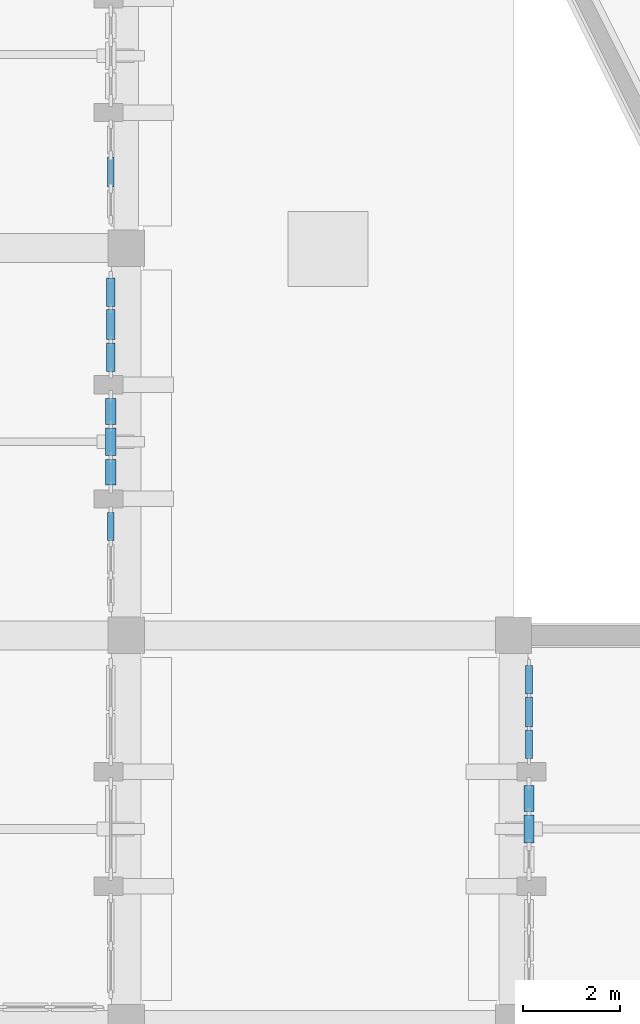
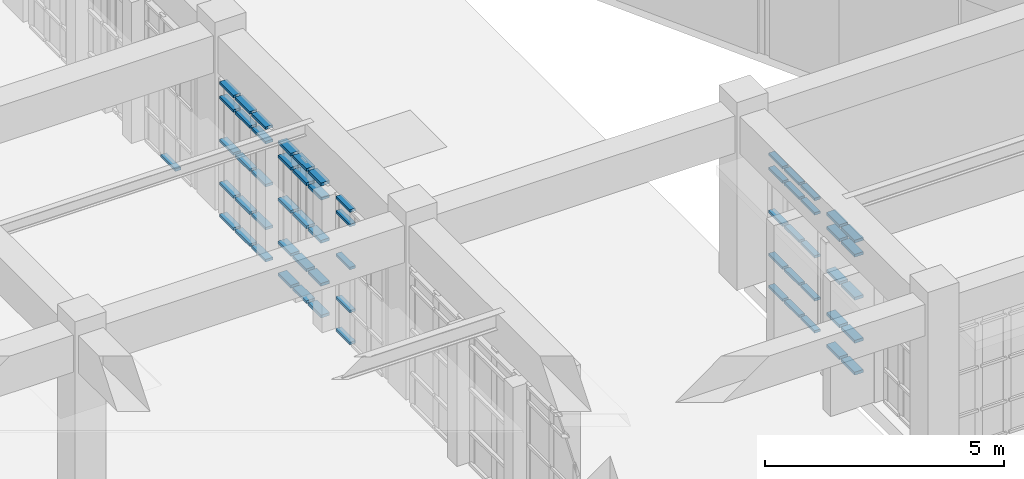
# One storey, part 53 of 155: 61 members, 6 elements without a shape of their own.
"""IFC4 building model written with IfcOpenShell, lengths in metres."""

from ifc_helpers import new_model, si_unit, direction, frame, origin, origin_2d, place, context, subcontext, project, spatial, rectangle, extrude, material, layer, layer_set, material_profile, profile_set, type_object, element, aggregate, save


model = new_model("IFC4")

# Units and contexts
model_context = context("Model", 3, precision=1e-05, world=origin(), true_north=direction((0.0, 1.0)))
body_context = subcontext(model_context, "Body", "Model", "MODEL_VIEW")
ifc_project = project(units=[si_unit("LENGTHUNIT", "METRE"), si_unit("AREAUNIT", "SQUARE_METRE"), si_unit("VOLUMEUNIT", "CUBIC_METRE"), si_unit("PLANEANGLEUNIT", "RADIAN"), si_unit("MASSUNIT", "GRAM", prefix="KILO")], contexts=[model_context])

# Site, building, storey
site_placement = place(None, origin())
site = spatial("IfcSite", under=ifc_project, at=site_placement, CompositionType="ELEMENT")
building_placement = place(site_placement, origin())
building = spatial("IfcBuilding", under=site, at=building_placement, Name="Tazarka Park Arena", CompositionType="ELEMENT")
storey_placement = place(building_placement, frame((0.0, 0.0, 5.39990234375)))
storey = spatial("IfcBuildingStorey", under=building, at=storey_placement, Name="L01", CompositionType="ELEMENT", Elevation=5.39990234375)

# Curtain wall, members
ifc_material_1 = material(Name="Aluminium and low-e glass", Category="aluminium")
ifc_layer_1 = layer(ifc_material_1, 0.179931640625, Name="Aluminium and low-e glass")
ifc_layer_set_1 = layer_set([ifc_layer_1], Name="Aluminium and low-e glass")
curtain_wall_type_1 = type_object("IfcCurtainWallType", Name="CW-03", PredefinedType="NOTDEFINED", material=ifc_layer_set_1)
curtain_wall_1_placement = place(storey_placement, origin())
curtain_wall_1 = element("IfcCurtainWall", 1, at=curtain_wall_1_placement, inside=storey, type_object=curtain_wall_type_1, Name="Curtain Wall CWA-L01-003", PredefinedType="NOTDEFINED")
ifc_material_2 = material(Name="Aluminium 6060-T66", Category="aluminium")
ifc_material_profile_1 = material_profile(ifc_material_2, rectangle(XDim=0.139892578125, YDim=0.06494140625, at=origin_2d()), Name="Aluminium 6060-T66")
ifc_profile_set_1 = profile_set([ifc_material_profile_1], Name="Aluminium 6060-T66")
member_type_1 = type_object("IfcMemberType", Name="CWT-01", PredefinedType="USERDEFINED", material=ifc_profile_set_1)
member_1_placement = place(storey_placement, frame((56.320068359375, 13.456787109375, 0.03271484375), z_axis=(0.0, 1.0, 0.0), x_axis=(-1.0, 0.0, 0.0)))
member_1 = element("IfcMember", 2, at=member_1_placement, type_object=member_type_1, Name="CW-03 transom 1.1", ObjectType="TRANSOM", PredefinedType="USERDEFINED", context=body_context, shape_type="SweptSolid", body=[
    extrude(rectangle(XDim=0.139892578125, YDim=0.06494140625, at=origin_2d()), origin(), (0.0, 0.0, 1.0), 0.5869140625),
])
member_2_placement = place(storey_placement, frame((56.320068359375, 13.456787109375, 0.85009765625), z_axis=(0.0, 1.0, 0.0), x_axis=(-1.0, 0.0, 0.0)))
member_2 = element("IfcMember", 3, at=member_2_placement, type_object=member_type_1, Name="CW-03 transom 1.2", ObjectType="TRANSOM", PredefinedType="USERDEFINED", context=body_context, shape_type="SweptSolid", body=[
    extrude(rectangle(XDim=0.139892578125, YDim=0.06494140625, at=origin_2d()), origin(), (0.0, 0.0, 1.0), 0.5869140625),
])
member_3_placement = place(storey_placement, frame((56.320068359375, 13.456787109375, 1.9501953125), z_axis=(0.0, 1.0, 0.0), x_axis=(-1.0, 0.0, 0.0)))
member_3 = element("IfcMember", 4, at=member_3_placement, type_object=member_type_1, Name="CW-03 transom 1.3", ObjectType="TRANSOM", PredefinedType="USERDEFINED", context=body_context, shape_type="SweptSolid", body=[
    extrude(rectangle(XDim=0.139892578125, YDim=0.06494140625, at=origin_2d()), origin(), (0.0, 0.0, 1.0), 0.5869140625),
])
member_4_placement = place(storey_placement, frame((56.320068359375, 13.456787109375, 3.050048828125), z_axis=(0.0, 1.0, 0.0), x_axis=(-1.0, 0.0, 0.0)))
member_4 = element("IfcMember", 5, at=member_4_placement, type_object=member_type_1, Name="CW-03 transom 1.4", ObjectType="TRANSOM", PredefinedType="USERDEFINED", context=body_context, shape_type="SweptSolid", body=[
    extrude(rectangle(XDim=0.139892578125, YDim=0.06494140625, at=origin_2d()), origin(), (0.0, 0.0, 1.0), 0.5869140625),
])
member_5_placement = place(storey_placement, frame((56.320068359375, 13.456787109375, 3.41748046875), z_axis=(0.0, 1.0, 0.0), x_axis=(-1.0, 0.0, 0.0)))
member_5 = element("IfcMember", 6, at=member_5_placement, type_object=member_type_1, Name="CW-03 transom 1.5", ObjectType="TRANSOM", PredefinedType="USERDEFINED", context=body_context, shape_type="SweptSolid", body=[
    extrude(rectangle(XDim=0.139892578125, YDim=0.06494140625, at=origin_2d()), origin(), (0.0, 0.0, 1.0), 0.5869140625),
])
member_6_placement = place(storey_placement, frame((56.320068359375, 14.108642578125, 0.03271484375), z_axis=(0.0, 1.0, 0.0), x_axis=(-1.0, 0.0, 0.0)))
member_6 = element("IfcMember", 7, at=member_6_placement, type_object=member_type_1, Name="CW-03 transom 2.1", ObjectType="TRANSOM", PredefinedType="USERDEFINED", context=body_context, shape_type="SweptSolid", body=[
    extrude(rectangle(XDim=0.139892578125, YDim=0.06494140625, at=origin_2d()), origin(), (0.0, 0.0, 1.0), 0.619384765625),
])
member_7_placement = place(storey_placement, frame((56.320068359375, 14.108642578125, 0.85009765625), z_axis=(0.0, 1.0, 0.0), x_axis=(-1.0, 0.0, 0.0)))
member_7 = element("IfcMember", 8, at=member_7_placement, type_object=member_type_1, Name="CW-03 transom 2.2", ObjectType="TRANSOM", PredefinedType="USERDEFINED", context=body_context, shape_type="SweptSolid", body=[
    extrude(rectangle(XDim=0.139892578125, YDim=0.06494140625, at=origin_2d()), origin(), (0.0, 0.0, 1.0), 0.619384765625),
])
member_8_placement = place(storey_placement, frame((56.320068359375, 14.108642578125, 1.9501953125), z_axis=(0.0, 1.0, 0.0), x_axis=(-1.0, 0.0, 0.0)))
member_8 = element("IfcMember", 9, at=member_8_placement, type_object=member_type_1, Name="CW-03 transom 2.3", ObjectType="TRANSOM", PredefinedType="USERDEFINED", context=body_context, shape_type="SweptSolid", body=[
    extrude(rectangle(XDim=0.139892578125, YDim=0.06494140625, at=origin_2d()), origin(), (0.0, 0.0, 1.0), 0.619384765625),
])
member_9_placement = place(storey_placement, frame((56.320068359375, 14.108642578125, 3.050048828125), z_axis=(0.0, 1.0, 0.0), x_axis=(-1.0, 0.0, 0.0)))
member_9 = element("IfcMember", 10, at=member_9_placement, type_object=member_type_1, Name="CW-03 transom 2.4", ObjectType="TRANSOM", PredefinedType="USERDEFINED", context=body_context, shape_type="SweptSolid", body=[
    extrude(rectangle(XDim=0.139892578125, YDim=0.06494140625, at=origin_2d()), origin(), (0.0, 0.0, 1.0), 0.619384765625),
])
member_10_placement = place(storey_placement, frame((56.320068359375, 14.108642578125, 3.41748046875), z_axis=(0.0, 1.0, 0.0), x_axis=(-1.0, 0.0, 0.0)))
member_10 = element("IfcMember", 11, at=member_10_placement, type_object=member_type_1, Name="CW-03 transom 2.5", ObjectType="TRANSOM", PredefinedType="USERDEFINED", context=body_context, shape_type="SweptSolid", body=[
    extrude(rectangle(XDim=0.139892578125, YDim=0.06494140625, at=origin_2d()), origin(), (0.0, 0.0, 1.0), 0.619384765625),
])
member_11_placement = place(storey_placement, frame((56.320068359375, 14.79296875, 0.03271484375), z_axis=(0.0, 1.0, 0.0), x_axis=(-1.0, 0.0, 0.0)))
member_11 = element("IfcMember", 12, at=member_11_placement, type_object=member_type_1, Name="CW-03 transom 3.1", ObjectType="TRANSOM", PredefinedType="USERDEFINED", context=body_context, shape_type="SweptSolid", body=[
    extrude(rectangle(XDim=0.139892578125, YDim=0.06494140625, at=origin_2d()), origin(), (0.0, 0.0, 1.0), 0.5869140625),
])
member_12_placement = place(storey_placement, frame((56.320068359375, 14.79296875, 0.85009765625), z_axis=(0.0, 1.0, 0.0), x_axis=(-1.0, 0.0, 0.0)))
member_12 = element("IfcMember", 13, at=member_12_placement, type_object=member_type_1, Name="CW-03 transom 3.2", ObjectType="TRANSOM", PredefinedType="USERDEFINED", context=body_context, shape_type="SweptSolid", body=[
    extrude(rectangle(XDim=0.139892578125, YDim=0.06494140625, at=origin_2d()), origin(), (0.0, 0.0, 1.0), 0.5869140625),
])
member_13_placement = place(storey_placement, frame((56.320068359375, 14.79296875, 1.9501953125), z_axis=(0.0, 1.0, 0.0), x_axis=(-1.0, 0.0, 0.0)))
member_13 = element("IfcMember", 14, at=member_13_placement, type_object=member_type_1, Name="CW-03 transom 3.3", ObjectType="TRANSOM", PredefinedType="USERDEFINED", context=body_context, shape_type="SweptSolid", body=[
    extrude(rectangle(XDim=0.139892578125, YDim=0.06494140625, at=origin_2d()), origin(), (0.0, 0.0, 1.0), 0.5869140625),
])
member_14_placement = place(storey_placement, frame((56.320068359375, 14.79296875, 3.050048828125), z_axis=(0.0, 1.0, 0.0), x_axis=(-1.0, 0.0, 0.0)))
member_14 = element("IfcMember", 15, at=member_14_placement, type_object=member_type_1, Name="CW-03 transom 3.4", ObjectType="TRANSOM", PredefinedType="USERDEFINED", context=body_context, shape_type="SweptSolid", body=[
    extrude(rectangle(XDim=0.139892578125, YDim=0.06494140625, at=origin_2d()), origin(), (0.0, 0.0, 1.0), 0.5869140625),
])
member_15_placement = place(storey_placement, frame((56.320068359375, 14.79296875, 3.41748046875), z_axis=(0.0, 1.0, 0.0), x_axis=(-1.0, 0.0, 0.0)))
member_15 = element("IfcMember", 16, at=member_15_placement, type_object=member_type_1, Name="CW-03 transom 3.5", ObjectType="TRANSOM", PredefinedType="USERDEFINED", context=body_context, shape_type="SweptSolid", body=[
    extrude(rectangle(XDim=0.139892578125, YDim=0.06494140625, at=origin_2d()), origin(), (0.0, 0.0, 1.0), 0.5869140625),
])
aggregate(curtain_wall_1, [member_1, member_2, member_3, member_4, member_5, member_6, member_7, member_8, member_9, member_10, member_11, member_12, member_13, member_14, member_15])

curtain_wall_2_placement = place(storey_placement, origin())
curtain_wall_2 = element("IfcCurtainWall", 17, at=curtain_wall_2_placement, inside=storey, type_object=curtain_wall_type_1, Name="Curtain Wall CWA-L01-093", PredefinedType="NOTDEFINED")
member_16_placement = place(storey_placement, frame((47.679931640625, 18.543212890625, 0.03271484375), z_axis=(0.0, -1.0, 0.0), x_axis=(1.0, 0.0, 0.0)))
member_16 = element("IfcMember", 18, at=member_16_placement, type_object=member_type_1, Name="CW-03 transom 1.1", ObjectType="TRANSOM", PredefinedType="USERDEFINED", context=body_context, shape_type="SweptSolid", body=[
    extrude(rectangle(XDim=0.139892578125, YDim=0.06494140625, at=origin_2d()), origin(), (0.0, 0.0, 1.0), 0.5869140625),
])
member_17_placement = place(storey_placement, frame((47.679931640625, 18.543212890625, 0.85009765625), z_axis=(0.0, -1.0, 0.0), x_axis=(1.0, 0.0, 0.0)))
member_17 = element("IfcMember", 19, at=member_17_placement, type_object=member_type_1, Name="CW-03 transom 1.2", ObjectType="TRANSOM", PredefinedType="USERDEFINED", context=body_context, shape_type="SweptSolid", body=[
    extrude(rectangle(XDim=0.139892578125, YDim=0.06494140625, at=origin_2d()), origin(), (0.0, 0.0, 1.0), 0.5869140625),
])
member_18_placement = place(storey_placement, frame((47.679931640625, 18.543212890625, 1.9501953125), z_axis=(0.0, -1.0, 0.0), x_axis=(1.0, 0.0, 0.0)))
member_18 = element("IfcMember", 20, at=member_18_placement, type_object=member_type_1, Name="CW-03 transom 1.3", ObjectType="TRANSOM", PredefinedType="USERDEFINED", context=body_context, shape_type="SweptSolid", body=[
    extrude(rectangle(XDim=0.139892578125, YDim=0.06494140625, at=origin_2d()), origin(), (0.0, 0.0, 1.0), 0.5869140625),
])
member_19_placement = place(storey_placement, frame((47.679931640625, 18.543212890625, 3.050048828125), z_axis=(0.0, -1.0, 0.0), x_axis=(1.0, 0.0, 0.0)))
member_19 = element("IfcMember", 21, at=member_19_placement, type_object=member_type_1, Name="CW-03 transom 1.4", ObjectType="TRANSOM", PredefinedType="USERDEFINED", context=body_context, shape_type="SweptSolid", body=[
    extrude(rectangle(XDim=0.139892578125, YDim=0.06494140625, at=origin_2d()), origin(), (0.0, 0.0, 1.0), 0.5869140625),
])
member_20_placement = place(storey_placement, frame((47.679931640625, 18.543212890625, 3.41748046875), z_axis=(0.0, -1.0, 0.0), x_axis=(1.0, 0.0, 0.0)))
member_20 = element("IfcMember", 22, at=member_20_placement, type_object=member_type_1, Name="CW-03 transom 1.5", ObjectType="TRANSOM", PredefinedType="USERDEFINED", context=body_context, shape_type="SweptSolid", body=[
    extrude(rectangle(XDim=0.139892578125, YDim=0.06494140625, at=origin_2d()), origin(), (0.0, 0.0, 1.0), 0.5869140625),
])
aggregate(curtain_wall_2, [member_16, member_17, member_18, member_19, member_20])

# Curtain wall, member
ifc_material_3 = material(Name="Aluminium and low-e glass", Category="aluminium")
ifc_layer_2 = layer(ifc_material_3, 0.179931640625, Name="Aluminium and low-e glass")
ifc_layer_set_2 = layer_set([ifc_layer_2], Name="Aluminium and low-e glass")
curtain_wall_type_2 = type_object("IfcCurtainWallType", Name="CW-06", PredefinedType="NOTDEFINED", material=ifc_layer_set_2)
curtain_wall_3_placement = place(storey_placement, origin())
curtain_wall_3 = element("IfcCurtainWall", 23, at=curtain_wall_3_placement, inside=storey, type_object=curtain_wall_type_2, Name="Curtain Wall CWA-L01-096", PredefinedType="NOTDEFINED")
member_21_placement = place(storey_placement, frame((47.679931640625, 25.88037109375, 0.03271484375), z_axis=(0.0, -1.0, 0.0), x_axis=(1.0, 0.0, 0.0)))
member_21 = element("IfcMember", 24, at=member_21_placement, type_object=member_type_1, Name="CW-06 transom 2.1", ObjectType="TRANSOM", PredefinedType="USERDEFINED", context=body_context, shape_type="SweptSolid", body=[
    extrude(rectangle(XDim=0.139892578125, YDim=0.06494140625, at=origin_2d()), origin(), (0.0, 0.0, 1.0), 0.614013671875),
])
aggregate(curtain_wall_3, [member_21])

# Curtain wall, members
ifc_material_4 = material(Name="Aluminium and low-e glass", Category="aluminium")
ifc_layer_3 = layer(ifc_material_4, 0.179931640625, Name="Aluminium and low-e glass")
ifc_layer_set_3 = layer_set([ifc_layer_3], Name="Aluminium and low-e glass")
curtain_wall_type_3 = type_object("IfcCurtainWallType", Name="CW-01", PredefinedType="NOTDEFINED", material=ifc_layer_set_3)
curtain_wall_4_placement = place(storey_placement, origin())
curtain_wall_4 = element("IfcCurtainWall", 25, at=curtain_wall_4_placement, inside=storey, type_object=curtain_wall_type_3, Name="Curtain Wall CWA-L01-091", PredefinedType="NOTDEFINED")
ifc_material_5 = material(Name="Aluminium 6060-T66", Category="aluminium")
ifc_material_profile_2 = material_profile(ifc_material_5, rectangle(XDim=0.179931640625, YDim=0.06494140625, at=origin_2d()), Name="Aluminium 6060-T66")
ifc_profile_set_2 = profile_set([ifc_material_profile_2], Name="Aluminium 6060-T66")
member_type_2 = type_object("IfcMemberType", Name="CWT-02", PredefinedType="USERDEFINED", material=ifc_profile_set_2)
member_22_placement = place(storey_placement, frame((47.679931640625, 23.3798828125, 0.03271484375), z_axis=(0.0, -1.0, 0.0), x_axis=(1.0, 0.0, 0.0)))
member_22 = element("IfcMember", 26, at=member_22_placement, type_object=member_type_2, Name="CW-01 transom 1.1", ObjectType="TRANSOM", PredefinedType="USERDEFINED", context=body_context, shape_type="SweptSolid", body=[
    extrude(rectangle(XDim=0.179931640625, YDim=0.06494140625, at=origin_2d()), origin(), (0.0, 0.0, 1.0), 0.5869140625),
])
member_23_placement = place(storey_placement, frame((47.679931640625, 23.3798828125, 0.85009765625), z_axis=(0.0, -1.0, 0.0), x_axis=(1.0, 0.0, 0.0)))
member_23 = element("IfcMember", 27, at=member_23_placement, type_object=member_type_2, Name="CW-01 transom 1.2", ObjectType="TRANSOM", PredefinedType="USERDEFINED", context=body_context, shape_type="SweptSolid", body=[
    extrude(rectangle(XDim=0.179931640625, YDim=0.06494140625, at=origin_2d()), origin(), (0.0, 0.0, 1.0), 0.5869140625),
])
member_24_placement = place(storey_placement, frame((47.679931640625, 23.3798828125, 1.9501953125), z_axis=(0.0, -1.0, 0.0), x_axis=(1.0, 0.0, 0.0)))
member_24 = element("IfcMember", 28, at=member_24_placement, type_object=member_type_2, Name="CW-01 transom 1.3", ObjectType="TRANSOM", PredefinedType="USERDEFINED", context=body_context, shape_type="SweptSolid", body=[
    extrude(rectangle(XDim=0.179931640625, YDim=0.06494140625, at=origin_2d()), origin(), (0.0, 0.0, 1.0), 0.5869140625),
])
member_25_placement = place(storey_placement, frame((47.679931640625, 23.3798828125, 3.050048828125), z_axis=(0.0, -1.0, 0.0), x_axis=(1.0, 0.0, 0.0)))
member_25 = element("IfcMember", 29, at=member_25_placement, type_object=member_type_2, Name="CW-01 transom 1.4", ObjectType="TRANSOM", PredefinedType="USERDEFINED", context=body_context, shape_type="SweptSolid", body=[
    extrude(rectangle(XDim=0.179931640625, YDim=0.06494140625, at=origin_2d()), origin(), (0.0, 0.0, 1.0), 0.5869140625),
])
member_26_placement = place(storey_placement, frame((47.679931640625, 23.3798828125, 3.41748046875), z_axis=(0.0, -1.0, 0.0), x_axis=(1.0, 0.0, 0.0)))
member_26 = element("IfcMember", 30, at=member_26_placement, type_object=member_type_2, Name="CW-01 transom 1.5", ObjectType="TRANSOM", PredefinedType="USERDEFINED", context=body_context, shape_type="SweptSolid", body=[
    extrude(rectangle(XDim=0.179931640625, YDim=0.06494140625, at=origin_2d()), origin(), (0.0, 0.0, 1.0), 0.5869140625),
])
member_27_placement = place(storey_placement, frame((47.679931640625, 22.72802734375, 0.03271484375), z_axis=(0.0, -1.0, 0.0), x_axis=(1.0, 0.0, 0.0)))
member_27 = element("IfcMember", 31, at=member_27_placement, type_object=member_type_2, Name="CW-01 transom 2.1", ObjectType="TRANSOM", PredefinedType="USERDEFINED", context=body_context, shape_type="SweptSolid", body=[
    extrude(rectangle(XDim=0.179931640625, YDim=0.06494140625, at=origin_2d()), origin(), (0.0, 0.0, 1.0), 0.619384765625),
])
member_28_placement = place(storey_placement, frame((47.679931640625, 22.72802734375, 0.85009765625), z_axis=(0.0, -1.0, 0.0), x_axis=(1.0, 0.0, 0.0)))
member_28 = element("IfcMember", 32, at=member_28_placement, type_object=member_type_2, Name="CW-01 transom 2.2", ObjectType="TRANSOM", PredefinedType="USERDEFINED", context=body_context, shape_type="SweptSolid", body=[
    extrude(rectangle(XDim=0.179931640625, YDim=0.06494140625, at=origin_2d()), origin(), (0.0, 0.0, 1.0), 0.619384765625),
])
member_29_placement = place(storey_placement, frame((47.679931640625, 22.72802734375, 1.9501953125), z_axis=(0.0, -1.0, 0.0), x_axis=(1.0, 0.0, 0.0)))
member_29 = element("IfcMember", 33, at=member_29_placement, type_object=member_type_2, Name="CW-01 transom 2.3", ObjectType="TRANSOM", PredefinedType="USERDEFINED", context=body_context, shape_type="SweptSolid", body=[
    extrude(rectangle(XDim=0.179931640625, YDim=0.06494140625, at=origin_2d()), origin(), (0.0, 0.0, 1.0), 0.619384765625),
])
member_30_placement = place(storey_placement, frame((47.679931640625, 22.72802734375, 3.050048828125), z_axis=(0.0, -1.0, 0.0), x_axis=(1.0, 0.0, 0.0)))
member_30 = element("IfcMember", 34, at=member_30_placement, type_object=member_type_2, Name="CW-01 transom 2.4", ObjectType="TRANSOM", PredefinedType="USERDEFINED", context=body_context, shape_type="SweptSolid", body=[
    extrude(rectangle(XDim=0.179931640625, YDim=0.06494140625, at=origin_2d()), origin(), (0.0, 0.0, 1.0), 0.619384765625),
])
member_31_placement = place(storey_placement, frame((47.679931640625, 22.72802734375, 3.41748046875), z_axis=(0.0, -1.0, 0.0), x_axis=(1.0, 0.0, 0.0)))
member_31 = element("IfcMember", 35, at=member_31_placement, type_object=member_type_2, Name="CW-01 transom 2.5", ObjectType="TRANSOM", PredefinedType="USERDEFINED", context=body_context, shape_type="SweptSolid", body=[
    extrude(rectangle(XDim=0.179931640625, YDim=0.06494140625, at=origin_2d()), origin(), (0.0, 0.0, 1.0), 0.619384765625),
])
member_32_placement = place(storey_placement, frame((47.679931640625, 22.043701171875, 0.03271484375), z_axis=(0.0, -1.0, 0.0), x_axis=(1.0, 0.0, 0.0)))
member_32 = element("IfcMember", 36, at=member_32_placement, type_object=member_type_2, Name="CW-01 transom 3.1", ObjectType="TRANSOM", PredefinedType="USERDEFINED", context=body_context, shape_type="SweptSolid", body=[
    extrude(rectangle(XDim=0.179931640625, YDim=0.06494140625, at=origin_2d()), origin(), (0.0, 0.0, 1.0), 0.5869140625),
])
member_33_placement = place(storey_placement, frame((47.679931640625, 22.043701171875, 0.85009765625), z_axis=(0.0, -1.0, 0.0), x_axis=(1.0, 0.0, 0.0)))
member_33 = element("IfcMember", 37, at=member_33_placement, type_object=member_type_2, Name="CW-01 transom 3.2", ObjectType="TRANSOM", PredefinedType="USERDEFINED", context=body_context, shape_type="SweptSolid", body=[
    extrude(rectangle(XDim=0.179931640625, YDim=0.06494140625, at=origin_2d()), origin(), (0.0, 0.0, 1.0), 0.5869140625),
])
member_34_placement = place(storey_placement, frame((47.679931640625, 22.043701171875, 1.9501953125), z_axis=(0.0, -1.0, 0.0), x_axis=(1.0, 0.0, 0.0)))
member_34 = element("IfcMember", 38, at=member_34_placement, type_object=member_type_2, Name="CW-01 transom 3.3", ObjectType="TRANSOM", PredefinedType="USERDEFINED", context=body_context, shape_type="SweptSolid", body=[
    extrude(rectangle(XDim=0.179931640625, YDim=0.06494140625, at=origin_2d()), origin(), (0.0, 0.0, 1.0), 0.5869140625),
])
member_35_placement = place(storey_placement, frame((47.679931640625, 22.043701171875, 3.050048828125), z_axis=(0.0, -1.0, 0.0), x_axis=(1.0, 0.0, 0.0)))
member_35 = element("IfcMember", 39, at=member_35_placement, type_object=member_type_2, Name="CW-01 transom 3.4", ObjectType="TRANSOM", PredefinedType="USERDEFINED", context=body_context, shape_type="SweptSolid", body=[
    extrude(rectangle(XDim=0.179931640625, YDim=0.06494140625, at=origin_2d()), origin(), (0.0, 0.0, 1.0), 0.5869140625),
])
member_36_placement = place(storey_placement, frame((47.679931640625, 22.043701171875, 3.41748046875), z_axis=(0.0, -1.0, 0.0), x_axis=(1.0, 0.0, 0.0)))
member_36 = element("IfcMember", 40, at=member_36_placement, type_object=member_type_2, Name="CW-01 transom 3.5", ObjectType="TRANSOM", PredefinedType="USERDEFINED", context=body_context, shape_type="SweptSolid", body=[
    extrude(rectangle(XDim=0.179931640625, YDim=0.06494140625, at=origin_2d()), origin(), (0.0, 0.0, 1.0), 0.5869140625),
])
aggregate(curtain_wall_4, [member_22, member_23, member_24, member_25, member_26, member_27, member_28, member_29, member_30, member_31, member_32, member_33, member_34, member_35, member_36])

ifc_material_6 = material(Name="Aluminium and low-e glass", Category="aluminium")
ifc_layer_4 = layer(ifc_material_6, 0.179931640625, Name="Aluminium and low-e glass")
ifc_layer_set_4 = layer_set([ifc_layer_4], Name="Aluminium and low-e glass")
curtain_wall_type_4 = type_object("IfcCurtainWallType", Name="CW-02", PredefinedType="NOTDEFINED", material=ifc_layer_set_4)
curtain_wall_5_placement = place(storey_placement, origin())
curtain_wall_5 = element("IfcCurtainWall", 41, at=curtain_wall_5_placement, inside=storey, type_object=curtain_wall_type_4, Name="Curtain Wall CWA-L01-002", PredefinedType="NOTDEFINED")
ifc_material_7 = material(Name="Aluminium 6060-T66", Category="aluminium")
ifc_material_profile_3 = material_profile(ifc_material_7, rectangle(XDim=0.2099609375, YDim=0.074951171875, at=origin_2d()), Name="Aluminium 6060-T66")
ifc_profile_set_3 = profile_set([ifc_material_profile_3], Name="Aluminium 6060-T66")
member_type_3 = type_object("IfcMemberType", Name="CWT-03", PredefinedType="USERDEFINED", material=ifc_profile_set_3)
member_37_placement = place(storey_placement, frame((56.320068359375, 11.713623046875, 0.03759765625), z_axis=(0.0, 1.0, 0.0), x_axis=(-1.0, 0.0, 0.0)))
member_37 = element("IfcMember", 42, at=member_37_placement, type_object=member_type_3, Name="CW-02 transom 2.1", ObjectType="TRANSOM", PredefinedType="USERDEFINED", context=body_context, shape_type="SweptSolid", body=[
    extrude(rectangle(XDim=0.2099609375, YDim=0.074951171875, at=origin_2d()), origin(), (0.0, 0.0, 1.0), 0.57275390625),
])
member_38_placement = place(storey_placement, frame((56.320068359375, 11.713623046875, 0.85009765625), z_axis=(0.0, 1.0, 0.0), x_axis=(-1.0, 0.0, 0.0)))
member_38 = element("IfcMember", 43, at=member_38_placement, type_object=member_type_3, Name="CW-02 transom 2.2", ObjectType="TRANSOM", PredefinedType="USERDEFINED", context=body_context, shape_type="SweptSolid", body=[
    extrude(rectangle(XDim=0.2099609375, YDim=0.074951171875, at=origin_2d()), origin(), (0.0, 0.0, 1.0), 0.57275390625),
])
member_39_placement = place(storey_placement, frame((56.320068359375, 11.713623046875, 1.9501953125), z_axis=(0.0, 1.0, 0.0), x_axis=(-1.0, 0.0, 0.0)))
member_39 = element("IfcMember", 44, at=member_39_placement, type_object=member_type_3, Name="CW-02 transom 2.3", ObjectType="TRANSOM", PredefinedType="USERDEFINED", context=body_context, shape_type="SweptSolid", body=[
    extrude(rectangle(XDim=0.2099609375, YDim=0.074951171875, at=origin_2d()), origin(), (0.0, 0.0, 1.0), 0.57275390625),
])
member_40_placement = place(storey_placement, frame((56.320068359375, 11.713623046875, 3.050048828125), z_axis=(0.0, 1.0, 0.0), x_axis=(-1.0, 0.0, 0.0)))
member_40 = element("IfcMember", 45, at=member_40_placement, type_object=member_type_3, Name="CW-02 transom 2.4", ObjectType="TRANSOM", PredefinedType="USERDEFINED", context=body_context, shape_type="SweptSolid", body=[
    extrude(rectangle(XDim=0.2099609375, YDim=0.074951171875, at=origin_2d()), origin(), (0.0, 0.0, 1.0), 0.57275390625),
])
member_41_placement = place(storey_placement, frame((56.320068359375, 11.713623046875, 3.41259765625), z_axis=(0.0, 1.0, 0.0), x_axis=(-1.0, 0.0, 0.0)))
member_41 = element("IfcMember", 46, at=member_41_placement, type_object=member_type_3, Name="CW-02 transom 2.5", ObjectType="TRANSOM", PredefinedType="USERDEFINED", context=body_context, shape_type="SweptSolid", body=[
    extrude(rectangle(XDim=0.2099609375, YDim=0.074951171875, at=origin_2d()), origin(), (0.0, 0.0, 1.0), 0.57275390625),
])
member_42_placement = place(storey_placement, frame((56.320068359375, 12.361328125, 0.03759765625), z_axis=(0.0, 1.0, 0.0), x_axis=(-1.0, 0.0, 0.0)))
member_42 = element("IfcMember", 47, at=member_42_placement, type_object=member_type_3, Name="CW-02 transom 3.1", ObjectType="TRANSOM", PredefinedType="USERDEFINED", context=body_context, shape_type="SweptSolid", body=[
    extrude(rectangle(XDim=0.2099609375, YDim=0.074951171875, at=origin_2d()), origin(), (0.0, 0.0, 1.0), 0.535400390625),
])
member_43_placement = place(storey_placement, frame((56.320068359375, 12.361328125, 0.85009765625), z_axis=(0.0, 1.0, 0.0), x_axis=(-1.0, 0.0, 0.0)))
member_43 = element("IfcMember", 48, at=member_43_placement, type_object=member_type_3, Name="CW-02 transom 3.2", ObjectType="TRANSOM", PredefinedType="USERDEFINED", context=body_context, shape_type="SweptSolid", body=[
    extrude(rectangle(XDim=0.2099609375, YDim=0.074951171875, at=origin_2d()), origin(), (0.0, 0.0, 1.0), 0.535400390625),
])
member_44_placement = place(storey_placement, frame((56.320068359375, 12.361328125, 1.9501953125), z_axis=(0.0, 1.0, 0.0), x_axis=(-1.0, 0.0, 0.0)))
member_44 = element("IfcMember", 49, at=member_44_placement, type_object=member_type_3, Name="CW-02 transom 3.3", ObjectType="TRANSOM", PredefinedType="USERDEFINED", context=body_context, shape_type="SweptSolid", body=[
    extrude(rectangle(XDim=0.2099609375, YDim=0.074951171875, at=origin_2d()), origin(), (0.0, 0.0, 1.0), 0.535400390625),
])
member_45_placement = place(storey_placement, frame((56.320068359375, 12.361328125, 3.050048828125), z_axis=(0.0, 1.0, 0.0), x_axis=(-1.0, 0.0, 0.0)))
member_45 = element("IfcMember", 50, at=member_45_placement, type_object=member_type_3, Name="CW-02 transom 3.4", ObjectType="TRANSOM", PredefinedType="USERDEFINED", context=body_context, shape_type="SweptSolid", body=[
    extrude(rectangle(XDim=0.2099609375, YDim=0.074951171875, at=origin_2d()), origin(), (0.0, 0.0, 1.0), 0.535400390625),
])
member_46_placement = place(storey_placement, frame((56.320068359375, 12.361328125, 3.41259765625), z_axis=(0.0, 1.0, 0.0), x_axis=(-1.0, 0.0, 0.0)))
member_46 = element("IfcMember", 51, at=member_46_placement, type_object=member_type_3, Name="CW-02 transom 3.5", ObjectType="TRANSOM", PredefinedType="USERDEFINED", context=body_context, shape_type="SweptSolid", body=[
    extrude(rectangle(XDim=0.2099609375, YDim=0.074951171875, at=origin_2d()), origin(), (0.0, 0.0, 1.0), 0.535400390625),
])
aggregate(curtain_wall_5, [member_37, member_38, member_39, member_40, member_41, member_42, member_43, member_44, member_45, member_46])

curtain_wall_6_placement = place(storey_placement, origin())
curtain_wall_6 = element("IfcCurtainWall", 52, at=curtain_wall_6_placement, inside=storey, type_object=curtain_wall_type_4, Name="Curtain Wall CWA-L01-092", PredefinedType="NOTDEFINED")
member_47_placement = place(storey_placement, frame((47.679931640625, 20.896728515625, 0.03759765625), z_axis=(0.0, -1.0, 0.0), x_axis=(1.0, 0.0, 0.0)))
member_47 = element("IfcMember", 53, at=member_47_placement, type_object=member_type_3, Name="CW-02 transom 1.1", ObjectType="TRANSOM", PredefinedType="USERDEFINED", context=body_context, shape_type="SweptSolid", body=[
    extrude(rectangle(XDim=0.2099609375, YDim=0.074951171875, at=origin_2d()), origin(), (0.0, 0.0, 1.0), 0.535400390625),
])
member_48_placement = place(storey_placement, frame((47.679931640625, 20.896728515625, 0.85009765625), z_axis=(0.0, -1.0, 0.0), x_axis=(1.0, 0.0, 0.0)))
member_48 = element("IfcMember", 54, at=member_48_placement, type_object=member_type_3, Name="CW-02 transom 1.2", ObjectType="TRANSOM", PredefinedType="USERDEFINED", context=body_context, shape_type="SweptSolid", body=[
    extrude(rectangle(XDim=0.2099609375, YDim=0.074951171875, at=origin_2d()), origin(), (0.0, 0.0, 1.0), 0.535400390625),
])
member_49_placement = place(storey_placement, frame((47.679931640625, 20.896728515625, 1.9501953125), z_axis=(0.0, -1.0, 0.0), x_axis=(1.0, 0.0, 0.0)))
member_49 = element("IfcMember", 55, at=member_49_placement, type_object=member_type_3, Name="CW-02 transom 1.3", ObjectType="TRANSOM", PredefinedType="USERDEFINED", context=body_context, shape_type="SweptSolid", body=[
    extrude(rectangle(XDim=0.2099609375, YDim=0.074951171875, at=origin_2d()), origin(), (0.0, 0.0, 1.0), 0.535400390625),
])
member_50_placement = place(storey_placement, frame((47.679931640625, 20.896728515625, 3.050048828125), z_axis=(0.0, -1.0, 0.0), x_axis=(1.0, 0.0, 0.0)))
member_50 = element("IfcMember", 56, at=member_50_placement, type_object=member_type_3, Name="CW-02 transom 1.4", ObjectType="TRANSOM", PredefinedType="USERDEFINED", context=body_context, shape_type="SweptSolid", body=[
    extrude(rectangle(XDim=0.2099609375, YDim=0.074951171875, at=origin_2d()), origin(), (0.0, 0.0, 1.0), 0.535400390625),
])
member_51_placement = place(storey_placement, frame((47.679931640625, 20.896728515625, 3.41259765625), z_axis=(0.0, -1.0, 0.0), x_axis=(1.0, 0.0, 0.0)))
member_51 = element("IfcMember", 57, at=member_51_placement, type_object=member_type_3, Name="CW-02 transom 1.5", ObjectType="TRANSOM", PredefinedType="USERDEFINED", context=body_context, shape_type="SweptSolid", body=[
    extrude(rectangle(XDim=0.2099609375, YDim=0.074951171875, at=origin_2d()), origin(), (0.0, 0.0, 1.0), 0.535400390625),
])
member_52_placement = place(storey_placement, frame((47.679931640625, 20.286376953125, 0.03759765625), z_axis=(0.0, -1.0, 0.0), x_axis=(1.0, 0.0, 0.0)))
member_52 = element("IfcMember", 58, at=member_52_placement, type_object=member_type_3, Name="CW-02 transom 2.1", ObjectType="TRANSOM", PredefinedType="USERDEFINED", context=body_context, shape_type="SweptSolid", body=[
    extrude(rectangle(XDim=0.2099609375, YDim=0.074951171875, at=origin_2d()), origin(), (0.0, 0.0, 1.0), 0.57275390625),
])
member_53_placement = place(storey_placement, frame((47.679931640625, 20.286376953125, 0.85009765625), z_axis=(0.0, -1.0, 0.0), x_axis=(1.0, 0.0, 0.0)))
member_53 = element("IfcMember", 59, at=member_53_placement, type_object=member_type_3, Name="CW-02 transom 2.2", ObjectType="TRANSOM", PredefinedType="USERDEFINED", context=body_context, shape_type="SweptSolid", body=[
    extrude(rectangle(XDim=0.2099609375, YDim=0.074951171875, at=origin_2d()), origin(), (0.0, 0.0, 1.0), 0.57275390625),
])
member_54_placement = place(storey_placement, frame((47.679931640625, 20.286376953125, 1.9501953125), z_axis=(0.0, -1.0, 0.0), x_axis=(1.0, 0.0, 0.0)))
member_54 = element("IfcMember", 60, at=member_54_placement, type_object=member_type_3, Name="CW-02 transom 2.3", ObjectType="TRANSOM", PredefinedType="USERDEFINED", context=body_context, shape_type="SweptSolid", body=[
    extrude(rectangle(XDim=0.2099609375, YDim=0.074951171875, at=origin_2d()), origin(), (0.0, 0.0, 1.0), 0.57275390625),
])
member_55_placement = place(storey_placement, frame((47.679931640625, 20.286376953125, 3.050048828125), z_axis=(0.0, -1.0, 0.0), x_axis=(1.0, 0.0, 0.0)))
member_55 = element("IfcMember", 61, at=member_55_placement, type_object=member_type_3, Name="CW-02 transom 2.4", ObjectType="TRANSOM", PredefinedType="USERDEFINED", context=body_context, shape_type="SweptSolid", body=[
    extrude(rectangle(XDim=0.2099609375, YDim=0.074951171875, at=origin_2d()), origin(), (0.0, 0.0, 1.0), 0.57275390625),
])
member_56_placement = place(storey_placement, frame((47.679931640625, 20.286376953125, 3.41259765625), z_axis=(0.0, -1.0, 0.0), x_axis=(1.0, 0.0, 0.0)))
member_56 = element("IfcMember", 62, at=member_56_placement, type_object=member_type_3, Name="CW-02 transom 2.5", ObjectType="TRANSOM", PredefinedType="USERDEFINED", context=body_context, shape_type="SweptSolid", body=[
    extrude(rectangle(XDim=0.2099609375, YDim=0.074951171875, at=origin_2d()), origin(), (0.0, 0.0, 1.0), 0.57275390625),
])
member_57_placement = place(storey_placement, frame((47.679931640625, 19.638671875, 0.03759765625), z_axis=(0.0, -1.0, 0.0), x_axis=(1.0, 0.0, 0.0)))
member_57 = element("IfcMember", 63, at=member_57_placement, type_object=member_type_3, Name="CW-02 transom 3.1", ObjectType="TRANSOM", PredefinedType="USERDEFINED", context=body_context, shape_type="SweptSolid", body=[
    extrude(rectangle(XDim=0.2099609375, YDim=0.074951171875, at=origin_2d()), origin(), (0.0, 0.0, 1.0), 0.535400390625),
])
member_58_placement = place(storey_placement, frame((47.679931640625, 19.638671875, 0.85009765625), z_axis=(0.0, -1.0, 0.0), x_axis=(1.0, 0.0, 0.0)))
member_58 = element("IfcMember", 64, at=member_58_placement, type_object=member_type_3, Name="CW-02 transom 3.2", ObjectType="TRANSOM", PredefinedType="USERDEFINED", context=body_context, shape_type="SweptSolid", body=[
    extrude(rectangle(XDim=0.2099609375, YDim=0.074951171875, at=origin_2d()), origin(), (0.0, 0.0, 1.0), 0.535400390625),
])
member_59_placement = place(storey_placement, frame((47.679931640625, 19.638671875, 1.9501953125), z_axis=(0.0, -1.0, 0.0), x_axis=(1.0, 0.0, 0.0)))
member_59 = element("IfcMember", 65, at=member_59_placement, type_object=member_type_3, Name="CW-02 transom 3.3", ObjectType="TRANSOM", PredefinedType="USERDEFINED", context=body_context, shape_type="SweptSolid", body=[
    extrude(rectangle(XDim=0.2099609375, YDim=0.074951171875, at=origin_2d()), origin(), (0.0, 0.0, 1.0), 0.535400390625),
])
member_60_placement = place(storey_placement, frame((47.679931640625, 19.638671875, 3.050048828125), z_axis=(0.0, -1.0, 0.0), x_axis=(1.0, 0.0, 0.0)))
member_60 = element("IfcMember", 66, at=member_60_placement, type_object=member_type_3, Name="CW-02 transom 3.4", ObjectType="TRANSOM", PredefinedType="USERDEFINED", context=body_context, shape_type="SweptSolid", body=[
    extrude(rectangle(XDim=0.2099609375, YDim=0.074951171875, at=origin_2d()), origin(), (0.0, 0.0, 1.0), 0.535400390625),
])
member_61_placement = place(storey_placement, frame((47.679931640625, 19.638671875, 3.41259765625), z_axis=(0.0, -1.0, 0.0), x_axis=(1.0, 0.0, 0.0)))
member_61 = element("IfcMember", 67, at=member_61_placement, type_object=member_type_3, Name="CW-02 transom 3.5", ObjectType="TRANSOM", PredefinedType="USERDEFINED", context=body_context, shape_type="SweptSolid", body=[
    extrude(rectangle(XDim=0.2099609375, YDim=0.074951171875, at=origin_2d()), origin(), (0.0, 0.0, 1.0), 0.535400390625),
])
aggregate(curtain_wall_6, [member_47, member_48, member_49, member_50, member_51, member_52, member_53, member_54, member_55, member_56, member_57, member_58, member_59, member_60, member_61])

save(model, "model.ifc")
